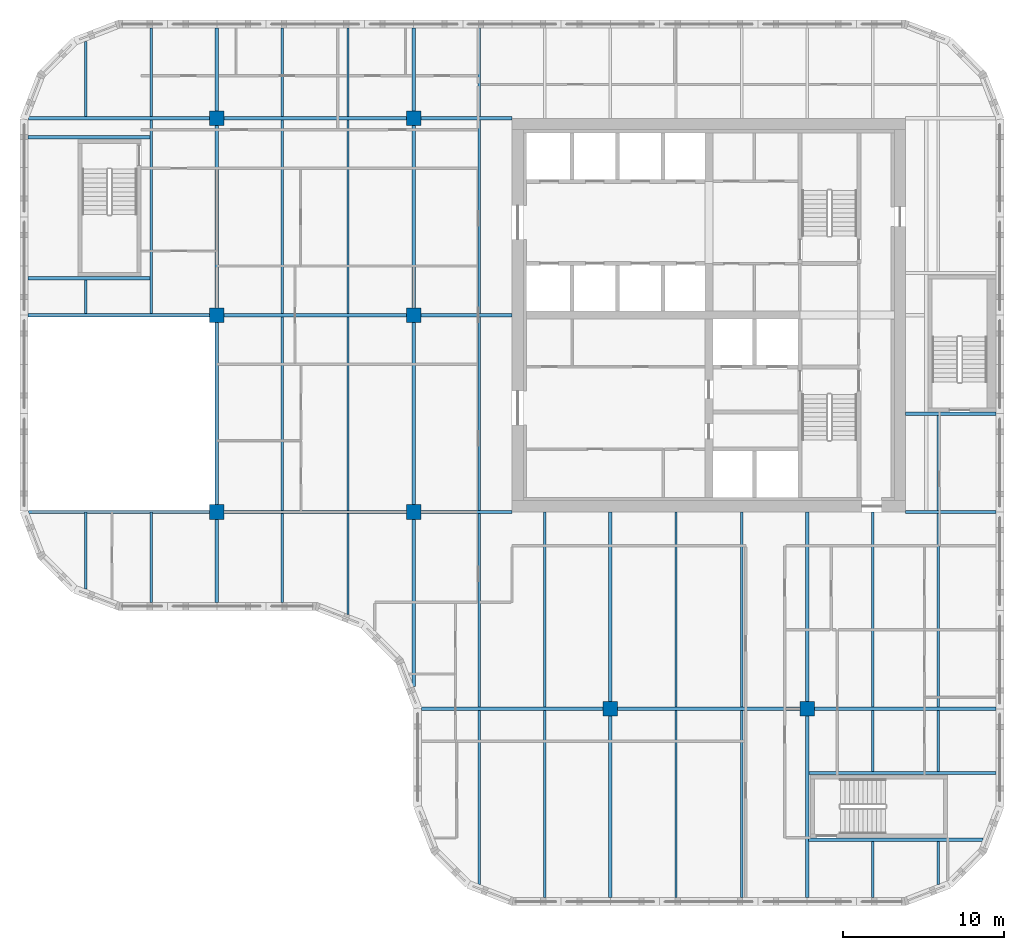
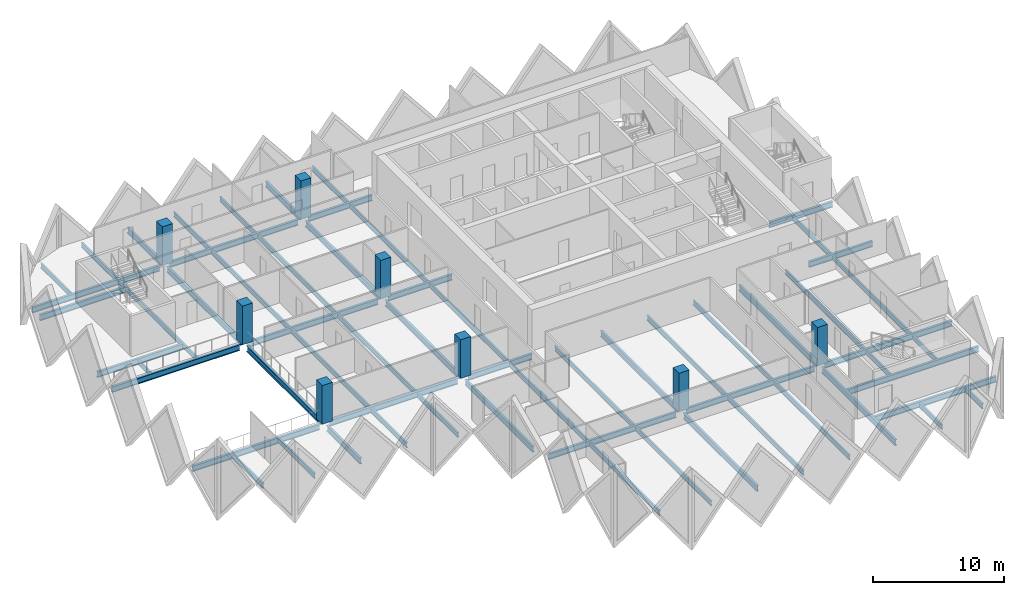
# One storey, part 1 of 12: 62 beams, 8 columns.
"""IFC4 building model written with IfcOpenShell, lengths in metres."""

from ifc_helpers import new_model, si_unit, direction, frame, origin, origin_2d, place, context, subcontext, project, spatial, rectangle, i_section, extrude, material, material_profile, profile_set, type_object, element, save


model = new_model("IFC4")

# Units and contexts
model_context = context("Model", 3, precision=1e-05, world=origin(), true_north=direction((0.0, 1.0)))
body_context = subcontext(model_context, "Body", "Model", "MODEL_VIEW")
ifc_project = project(units=[si_unit("LENGTHUNIT", "METRE"), si_unit("AREAUNIT", "SQUARE_METRE"), si_unit("VOLUMEUNIT", "CUBIC_METRE"), si_unit("PLANEANGLEUNIT", "RADIAN"), si_unit("MASSUNIT", "GRAM", prefix="KILO")], contexts=[model_context])

# Site, building, storey
site_placement = place(None, origin())
site = spatial("IfcSite", under=ifc_project, at=site_placement, CompositionType="ELEMENT")
building_placement = place(site_placement, origin())
building = spatial("IfcBuilding", under=site, at=building_placement, Name="Tessera Gate Towers", CompositionType="ELEMENT")
storey_placement = place(building_placement, frame((0.0, 0.0, 135.39990234375)))
storey = spatial("IfcBuildingStorey", under=building, at=storey_placement, Name="L33", CompositionType="ELEMENT", Elevation=135.39990234375)

# Columns
ifc_material_1 = material(Name="Concrete C70/85", Category="concrete")
ifc_material_profile_1 = material_profile(ifc_material_1, rectangle(XDim=0.89990234375, YDim=0.89990234375, at=origin_2d()), Name="RC 900x900")
ifc_profile_set_1 = profile_set([ifc_material_profile_1], Name="Concrete C70/85")
column_type = type_object("IfcColumnType", Name="COLUMN RC 900x900", PredefinedType="COLUMN", material=ifc_profile_set_1)
for number, where, z_axis, x_axis, name in (
    (1, (12.199951171875, 24.39990234375, 0.0), (0.0, 0.0, 1.0), (1.0, 0.0, 0.0), "T1-COL-2C-L33"),
    (2, (12.199951171875, 36.60009765625, 0.0), (0.0, 0.0, 1.0), (1.0, 0.0, 0.0), "T1-COL-2D-L33"),
    (3, (12.199951171875, 48.800048828125, 0.0), (0.0, 0.0, 1.0), (1.0, 0.0, 0.0), "T1-COL-2E-L33"),
    (4, (24.39990234375, 24.39990234375, 0.0), (0.0, 0.0, 1.0), (1.0, 0.0, 0.0), "T1-COL-3C-L33"),
    (5, (24.39990234375, 36.60009765625, 0.0), (0.0, 0.0, 1.0), (1.0, 0.0, 0.0), "T1-COL-3D-L33"),
    (6, (24.39990234375, 48.800048828125, 0.0), (0.0, 0.0, 1.0), (1.0, 0.0, 0.0), "T1-COL-3E-L33"),
    (7, (36.60009765625, 12.199951171875, 0.0), (0.0, 0.0, 1.0), (1.0, 0.0, 0.0), "T1-COL-4B-L33"),
    (8, (48.800048828125, 12.199951171875, 0.0), (0.0, 0.0, 1.0), (1.0, 0.0, 0.0), "T1-COL-5B-L33"),
):
    element("IfcColumn", number, at=place(storey_placement, frame(where, z_axis=z_axis, x_axis=x_axis)), inside=storey, type_object=column_type, Name=name, PredefinedType="COLUMN", context=body_context, shape_type="SweptSolid", body=[
        extrude(rectangle(XDim=0.89990234375, YDim=0.89990234375, at=origin_2d()), origin(), (0.0, 0.0, 1.0), 3.60009765625),
    ])

# Beams
ifc_material_2 = material(Name="Steel 350W", Category="steel")
ifc_material_profile_2 = material_profile(ifc_material_2, i_section(OverallWidth=0.208984375, OverallDepth=0.532958984375, WebThickness=0.01025390625, FlangeThickness=0.015625, at=origin_2d()), Name="W530x92")
ifc_profile_set_2 = profile_set([ifc_material_profile_2], Name="Steel 350W")
beam_type_1 = type_object("IfcBeamType", Name="FLOOR GIRDER W530x92", PredefinedType="BEAM", material=ifc_profile_set_2)
beam_1_placement = place(storey_placement, frame((24.89892578125, 12.199951171875, -0.46630859375), z_axis=(1.0, 0.0, 0.0), x_axis=(0.0, 1.0, 0.0)))
element("IfcBeam", 9, at=beam_1_placement, inside=storey, type_object=beam_type_1, Name="T1-GD-L33-4000", PredefinedType="BEAM", context=body_context, shape_type="SweptSolid", body=[
    extrude(i_section(OverallWidth=0.208984375, OverallDepth=0.532958984375, WebThickness=0.01025390625, FlangeThickness=0.015625, at=origin_2d()), origin(), (0.0, 0.0, 1.0), 11.2509765625),
])
beam_2_placement = place(storey_placement, frame((37.050048828125, 12.199951171875, -0.46630859375), z_axis=(1.0, 0.0, 0.0), x_axis=(0.0, 1.0, 0.0)))
element("IfcBeam", 10, at=beam_2_placement, inside=storey, type_object=beam_type_1, Name="T1-GD-L33-4001", PredefinedType="BEAM", context=body_context, shape_type="SweptSolid", body=[
    extrude(i_section(OverallWidth=0.208984375, OverallDepth=0.532958984375, WebThickness=0.01025390625, FlangeThickness=0.015625, at=origin_2d()), origin(), (0.0, 0.0, 1.0), 11.300048828125),
])
beam_3_placement = place(storey_placement, frame((49.25, 12.199951171875, -0.46630859375), z_axis=(1.0, 0.0, 0.0), x_axis=(0.0, 1.0, 0.0)))
element("IfcBeam", 11, at=beam_3_placement, inside=storey, type_object=beam_type_1, Name="T1-GD-L33-4002", PredefinedType="BEAM", context=body_context, shape_type="SweptSolid", body=[
    extrude(i_section(OverallWidth=0.208984375, OverallDepth=0.532958984375, WebThickness=0.01025390625, FlangeThickness=0.015625, at=origin_2d()), origin(), (0.0, 0.0, 1.0), 11.2509765625),
])
beam_4_placement = place(storey_placement, frame((0.534912109375, 24.39990234375, -0.46630859375), z_axis=(1.0, 0.0, 0.0), x_axis=(0.0, 1.0, 0.0)))
element("IfcBeam", 12, at=beam_4_placement, inside=storey, type_object=beam_type_1, Name="T1-GD-L33-4003", PredefinedType="BEAM", context=body_context, shape_type="SweptSolid", body=[
    extrude(i_section(OverallWidth=0.208984375, OverallDepth=0.532958984375, WebThickness=0.01025390625, FlangeThickness=0.015625, at=origin_2d()), origin(), (0.0, 0.0, 1.0), 11.215087890625),
])
beam_5_placement = place(storey_placement, frame((12.64990234375, 24.39990234375, -0.46630859375), z_axis=(1.0, 0.0, 0.0), x_axis=(0.0, 1.0, 0.0)))
element("IfcBeam", 13, at=beam_5_placement, inside=storey, type_object=beam_type_1, Name="T1-GD-L33-4004", PredefinedType="BEAM", context=body_context, shape_type="SweptSolid", body=[
    extrude(i_section(OverallWidth=0.208984375, OverallDepth=0.532958984375, WebThickness=0.01025390625, FlangeThickness=0.015625, at=origin_2d()), origin(), (0.0, 0.0, 1.0), 11.300048828125),
])
beam_6_placement = place(storey_placement, frame((24.85009765625, 24.39990234375, -0.46630859375), z_axis=(1.0, 0.0, 0.0), x_axis=(0.0, 1.0, 0.0)))
element("IfcBeam", 14, at=beam_6_placement, inside=storey, type_object=beam_type_1, Name="T1-GD-L33-4005", PredefinedType="BEAM", context=body_context, shape_type="SweptSolid", body=[
    extrude(i_section(OverallWidth=0.208984375, OverallDepth=0.532958984375, WebThickness=0.01025390625, FlangeThickness=0.015625, at=origin_2d()), origin(), (0.0, 0.0, 1.0), 5.64892578125),
])
beam_7_placement = place(storey_placement, frame((54.90087890625, 24.39990234375, -0.46630859375), z_axis=(1.0, 0.0, 0.0), x_axis=(0.0, 1.0, 0.0)))
element("IfcBeam", 15, at=beam_7_placement, inside=storey, type_object=beam_type_1, Name="T1-GD-L33-4006", PredefinedType="BEAM", context=body_context, shape_type="SweptSolid", body=[
    extrude(i_section(OverallWidth=0.208984375, OverallDepth=0.532958984375, WebThickness=0.01025390625, FlangeThickness=0.015625, at=origin_2d()), origin(), (0.0, 0.0, 1.0), 5.60009765625),
])
beam_8_placement = place(storey_placement, frame((0.4990234375, 36.60009765625, -0.46630859375), z_axis=(1.0, 0.0, 0.0), x_axis=(0.0, 1.0, 0.0)))
element("IfcBeam", 16, at=beam_8_placement, inside=storey, type_object=beam_type_1, Name="T1-GD-L33-4007", PredefinedType="BEAM", context=body_context, shape_type="SweptSolid", body=[
    extrude(i_section(OverallWidth=0.208984375, OverallDepth=0.532958984375, WebThickness=0.01025390625, FlangeThickness=0.015625, at=origin_2d()), origin(), (0.0, 0.0, 1.0), 11.2509765625),
])
beam_9_placement = place(storey_placement, frame((12.64990234375, 36.60009765625, -0.46630859375), z_axis=(1.0, 0.0, 0.0), x_axis=(0.0, 1.0, 0.0)))
element("IfcBeam", 17, at=beam_9_placement, inside=storey, type_object=beam_type_1, Name="T1-GD-L33-4008", PredefinedType="BEAM", context=body_context, shape_type="SweptSolid", body=[
    extrude(i_section(OverallWidth=0.208984375, OverallDepth=0.532958984375, WebThickness=0.01025390625, FlangeThickness=0.015625, at=origin_2d()), origin(), (0.0, 0.0, 1.0), 11.300048828125),
])
beam_10_placement = place(storey_placement, frame((24.85009765625, 36.60009765625, -0.46630859375), z_axis=(1.0, 0.0, 0.0), x_axis=(0.0, 1.0, 0.0)))
element("IfcBeam", 18, at=beam_10_placement, inside=storey, type_object=beam_type_1, Name="T1-GD-L33-4009", PredefinedType="BEAM", context=body_context, shape_type="SweptSolid", body=[
    extrude(i_section(OverallWidth=0.208984375, OverallDepth=0.532958984375, WebThickness=0.01025390625, FlangeThickness=0.015625, at=origin_2d()), origin(), (0.0, 0.0, 1.0), 5.65087890625),
])
beam_11_placement = place(storey_placement, frame((0.534912109375, 48.800048828125, -0.46630859375), z_axis=(1.0, 0.0, 0.0), x_axis=(0.0, 1.0, 0.0)))
element("IfcBeam", 19, at=beam_11_placement, inside=storey, type_object=beam_type_1, Name="T1-GD-L33-4011", PredefinedType="BEAM", context=body_context, shape_type="SweptSolid", body=[
    extrude(i_section(OverallWidth=0.208984375, OverallDepth=0.532958984375, WebThickness=0.01025390625, FlangeThickness=0.015625, at=origin_2d()), origin(), (0.0, 0.0, 1.0), 11.215087890625),
])
beam_12_placement = place(storey_placement, frame((12.64990234375, 48.800048828125, -0.46630859375), z_axis=(1.0, 0.0, 0.0), x_axis=(0.0, 1.0, 0.0)))
element("IfcBeam", 20, at=beam_12_placement, inside=storey, type_object=beam_type_1, Name="T1-GD-L33-4012", PredefinedType="BEAM", context=body_context, shape_type="SweptSolid", body=[
    extrude(i_section(OverallWidth=0.208984375, OverallDepth=0.532958984375, WebThickness=0.01025390625, FlangeThickness=0.015625, at=origin_2d()), origin(), (0.0, 0.0, 1.0), 11.300048828125),
])
beam_13_placement = place(storey_placement, frame((24.85009765625, 48.800048828125, -0.46630859375), z_axis=(1.0, 0.0, 0.0), x_axis=(0.0, 1.0, 0.0)))
element("IfcBeam", 21, at=beam_13_placement, inside=storey, type_object=beam_type_1, Name="T1-GD-L33-4013", PredefinedType="BEAM", context=body_context, shape_type="SweptSolid", body=[
    extrude(i_section(OverallWidth=0.208984375, OverallDepth=0.532958984375, WebThickness=0.01025390625, FlangeThickness=0.015625, at=origin_2d()), origin(), (0.0, 0.0, 1.0), 5.64892578125),
])
beam_14_placement = place(storey_placement, frame((12.199951171875, 18.799072265625, -0.46630859375), z_axis=(0.0, 1.0, 0.0), x_axis=(-1.0, 0.0, 0.0)))
element("IfcBeam", 22, at=beam_14_placement, inside=storey, type_object=beam_type_1, Name="T1-GD-L33-4015", PredefinedType="BEAM", context=body_context, shape_type="SweptSolid", body=[
    extrude(i_section(OverallWidth=0.208984375, OverallDepth=0.532958984375, WebThickness=0.01025390625, FlangeThickness=0.015625, at=origin_2d()), origin(), (0.0, 0.0, 1.0), 5.15087890625),
])
beam_15_placement = place(storey_placement, frame((12.199951171875, 24.85009765625, -0.46630859375), z_axis=(0.0, 1.0, 0.0), x_axis=(-1.0, 0.0, 0.0)))
element("IfcBeam", 23, at=beam_15_placement, inside=storey, type_object=beam_type_1, Name="T1-GD-L33-4016", PredefinedType="BEAM", context=body_context, shape_type="SweptSolid", body=[
    extrude(i_section(OverallWidth=0.208984375, OverallDepth=0.532958984375, WebThickness=0.01025390625, FlangeThickness=0.015625, at=origin_2d()), origin(), (0.0, 0.0, 1.0), 11.2998046875),
])
beam_16_placement = place(storey_placement, frame((12.199951171875, 37.050048828125, -0.46630859375), z_axis=(0.0, 1.0, 0.0), x_axis=(-1.0, 0.0, 0.0)))
element("IfcBeam", 24, at=beam_16_placement, inside=storey, type_object=beam_type_1, Name="T1-GD-L33-4017", PredefinedType="BEAM", context=body_context, shape_type="SweptSolid", body=[
    extrude(i_section(OverallWidth=0.208984375, OverallDepth=0.532958984375, WebThickness=0.01025390625, FlangeThickness=0.015625, at=origin_2d()), origin(), (0.0, 0.0, 1.0), 11.300048828125),
])
beam_17_placement = place(storey_placement, frame((12.199951171875, 49.25, -0.46630859375), z_axis=(0.0, 1.0, 0.0), x_axis=(-1.0, 0.0, 0.0)))
element("IfcBeam", 25, at=beam_17_placement, inside=storey, type_object=beam_type_1, Name="T1-GD-L33-4018", PredefinedType="BEAM", context=body_context, shape_type="SweptSolid", body=[
    extrude(i_section(OverallWidth=0.208984375, OverallDepth=0.532958984375, WebThickness=0.01025390625, FlangeThickness=0.015625, at=origin_2d()), origin(), (0.0, 0.0, 1.0), 5.15087890625),
])
beam_18_placement = place(storey_placement, frame((24.39990234375, 13.58642578125, -0.46630859375), z_axis=(0.0, 1.0, 0.0), x_axis=(-1.0, 0.0, 0.0)))
element("IfcBeam", 26, at=beam_18_placement, inside=storey, type_object=beam_type_1, Name="T1-GD-L33-4019", PredefinedType="BEAM", context=body_context, shape_type="SweptSolid", body=[
    extrude(i_section(OverallWidth=0.208984375, OverallDepth=0.532958984375, WebThickness=0.01025390625, FlangeThickness=0.015625, at=origin_2d()), origin(), (0.0, 0.0, 1.0), 10.363525390625),
])
beam_19_placement = place(storey_placement, frame((24.39990234375, 24.85009765625, -0.46630859375), z_axis=(0.0, 1.0, 0.0), x_axis=(-1.0, 0.0, 0.0)))
element("IfcBeam", 27, at=beam_19_placement, inside=storey, type_object=beam_type_1, Name="T1-GD-L33-4020", PredefinedType="BEAM", context=body_context, shape_type="SweptSolid", body=[
    extrude(i_section(OverallWidth=0.208984375, OverallDepth=0.532958984375, WebThickness=0.01025390625, FlangeThickness=0.015625, at=origin_2d()), origin(), (0.0, 0.0, 1.0), 11.2998046875),
])
beam_20_placement = place(storey_placement, frame((24.39990234375, 37.050048828125, -0.46630859375), z_axis=(0.0, 1.0, 0.0), x_axis=(-1.0, 0.0, 0.0)))
element("IfcBeam", 28, at=beam_20_placement, inside=storey, type_object=beam_type_1, Name="T1-GD-L33-4021", PredefinedType="BEAM", context=body_context, shape_type="SweptSolid", body=[
    extrude(i_section(OverallWidth=0.208984375, OverallDepth=0.532958984375, WebThickness=0.01025390625, FlangeThickness=0.015625, at=origin_2d()), origin(), (0.0, 0.0, 1.0), 11.300048828125),
])
beam_21_placement = place(storey_placement, frame((24.39990234375, 49.25, -0.46630859375), z_axis=(0.0, 1.0, 0.0), x_axis=(-1.0, 0.0, 0.0)))
element("IfcBeam", 29, at=beam_21_placement, inside=storey, type_object=beam_type_1, Name="T1-GD-L33-4022", PredefinedType="BEAM", context=body_context, shape_type="SweptSolid", body=[
    extrude(i_section(OverallWidth=0.208984375, OverallDepth=0.532958984375, WebThickness=0.01025390625, FlangeThickness=0.015625, at=origin_2d()), origin(), (0.0, 0.0, 1.0), 5.15087890625),
])
beam_22_placement = place(storey_placement, frame((36.60009765625, 0.4990234375, -0.46630859375), z_axis=(0.0, 1.0, 0.0), x_axis=(-1.0, 0.0, 0.0)))
element("IfcBeam", 30, at=beam_22_placement, inside=storey, type_object=beam_type_1, Name="T1-GD-L33-4023", PredefinedType="BEAM", context=body_context, shape_type="SweptSolid", body=[
    extrude(i_section(OverallWidth=0.208984375, OverallDepth=0.532958984375, WebThickness=0.01025390625, FlangeThickness=0.015625, at=origin_2d()), origin(), (0.0, 0.0, 1.0), 11.2509765625),
])
beam_23_placement = place(storey_placement, frame((36.60009765625, 12.64990234375, -0.46630859375), z_axis=(0.0, 1.0, 0.0), x_axis=(-1.0, 0.0, 0.0)))
element("IfcBeam", 31, at=beam_23_placement, inside=storey, type_object=beam_type_1, Name="T1-GD-L33-4024", PredefinedType="BEAM", context=body_context, shape_type="SweptSolid", body=[
    extrude(i_section(OverallWidth=0.208984375, OverallDepth=0.532958984375, WebThickness=0.01025390625, FlangeThickness=0.015625, at=origin_2d()), origin(), (0.0, 0.0, 1.0), 11.75),
])
beam_24_placement = place(storey_placement, frame((48.800048828125, 0.4990234375, -0.46630859375), z_axis=(0.0, 1.0, 0.0), x_axis=(-1.0, 0.0, 0.0)))
element("IfcBeam", 32, at=beam_24_placement, inside=storey, type_object=beam_type_1, Name="T1-GD-L33-4025", PredefinedType="BEAM", context=body_context, shape_type="SweptSolid", body=[
    extrude(i_section(OverallWidth=0.208984375, OverallDepth=0.532958984375, WebThickness=0.01025390625, FlangeThickness=0.015625, at=origin_2d()), origin(), (0.0, 0.0, 1.0), 11.2509765625),
])
beam_25_placement = place(storey_placement, frame((48.800048828125, 12.64990234375, -0.46630859375), z_axis=(0.0, 1.0, 0.0), x_axis=(-1.0, 0.0, 0.0)))
element("IfcBeam", 33, at=beam_25_placement, inside=storey, type_object=beam_type_1, Name="T1-GD-L33-4026", PredefinedType="BEAM", context=body_context, shape_type="SweptSolid", body=[
    extrude(i_section(OverallWidth=0.208984375, OverallDepth=0.532958984375, WebThickness=0.01025390625, FlangeThickness=0.015625, at=origin_2d()), origin(), (0.0, 0.0, 1.0), 11.75),
])
for number, where, z_axis, x_axis, name in (
    (34, (0.4990234375, 38.8798828125, -0.46630859375), (1.0, 0.0, 0.0), (0.0, 1.0, 0.0), "T1-GD-L33-4027"),
    (35, (0.4990234375, 47.6201171875, -0.46630859375), (1.0, 0.0, 0.0), (0.0, 1.0, 0.0), "T1-GD-L33-4028"),
):
    element("IfcBeam", number, at=place(storey_placement, frame(where, z_axis=z_axis, x_axis=x_axis)), inside=storey, type_object=beam_type_1, Name=name, PredefinedType="BEAM", context=body_context, shape_type="SweptSolid", body=[
        extrude(i_section(OverallWidth=0.208984375, OverallDepth=0.532958984375, WebThickness=0.01025390625, FlangeThickness=0.015625, at=origin_2d()), origin(), (0.0, 0.0, 1.0), 7.557861328125),
    ])
beam_26_placement = place(storey_placement, frame((48.87646484375, 4.080078125, -0.46630859375), z_axis=(1.0, 0.0, 0.0), x_axis=(0.0, 1.0, 0.0)))
element("IfcBeam", 36, at=beam_26_placement, inside=storey, type_object=beam_type_1, Name="T1-GD-L33-4029", PredefinedType="BEAM", context=body_context, shape_type="SweptSolid", body=[
    extrude(i_section(OverallWidth=0.208984375, OverallDepth=0.532958984375, WebThickness=0.01025390625, FlangeThickness=0.015625, at=origin_2d()), origin(), (0.0, 0.0, 1.0), 10.809326171875),
])
beam_27_placement = place(storey_placement, frame((48.87646484375, 8.219970703125, -0.46630859375), z_axis=(1.0, 0.0, 0.0), x_axis=(0.0, 1.0, 0.0)))
element("IfcBeam", 37, at=beam_27_placement, inside=storey, type_object=beam_type_1, Name="T1-GD-L33-4030", PredefinedType="BEAM", context=body_context, shape_type="SweptSolid", body=[
    extrude(i_section(OverallWidth=0.208984375, OverallDepth=0.532958984375, WebThickness=0.01025390625, FlangeThickness=0.015625, at=origin_2d()), origin(), (0.0, 0.0, 1.0), 11.62451171875),
])
beam_28_placement = place(storey_placement, frame((54.89892578125, 30.47998046875, -0.46630859375), z_axis=(1.0, 0.0, 0.0), x_axis=(0.0, 1.0, 0.0)))
element("IfcBeam", 38, at=beam_28_placement, inside=storey, type_object=beam_type_1, Name="T1-GD-L33-4031", PredefinedType="BEAM", context=body_context, shape_type="SweptSolid", body=[
    extrude(i_section(OverallWidth=0.208984375, OverallDepth=0.532958984375, WebThickness=0.01025390625, FlangeThickness=0.015625, at=origin_2d()), origin(), (0.0, 0.0, 1.0), 5.60205078125),
])
ifc_material_3 = material(Name="Steel 350W", Category="steel")
ifc_material_profile_3 = material_profile(ifc_material_3, i_section(OverallWidth=0.153076171875, OverallDepth=0.455078125, WebThickness=0.008056640625, FlangeThickness=0.01318359375, at=origin_2d()), Name="W460x60")
ifc_profile_set_3 = profile_set([ifc_material_profile_3], Name="Steel 350W")
beam_type_2 = type_object("IfcBeamType", Name="FLOOR SECONDARY W460x60", PredefinedType="BEAM", material=ifc_profile_set_3)
beam_29_placement = place(storey_placement, frame((4.066650390625, 19.620361328125, -0.427490234375), z_axis=(0.0, 1.0, 0.0), x_axis=(-1.0, 0.0, 0.0)))
element("IfcBeam", 39, at=beam_29_placement, inside=storey, type_object=beam_type_2, Name="T1-BM-L33-4034", PredefinedType="BEAM", context=body_context, shape_type="SweptSolid", body=[
    extrude(i_section(OverallWidth=0.153076171875, OverallDepth=0.455078125, WebThickness=0.008056640625, FlangeThickness=0.01318359375, at=origin_2d()), origin(), (0.0, 0.0, 1.0), 4.779541015625),
])
beam_30_placement = place(storey_placement, frame((4.066650390625, 36.70458984375, -0.427490234375), z_axis=(0.0, 1.0, 0.0), x_axis=(-1.0, 0.0, 0.0)))
element("IfcBeam", 40, at=beam_30_placement, inside=storey, type_object=beam_type_2, Name="T1-BM-L33-4035", PredefinedType="BEAM", context=body_context, shape_type="SweptSolid", body=[
    extrude(i_section(OverallWidth=0.153076171875, OverallDepth=0.455078125, WebThickness=0.008056640625, FlangeThickness=0.01318359375, at=origin_2d()), origin(), (0.0, 0.0, 1.0), 2.07080078125),
])
beam_31_placement = place(storey_placement, frame((4.066650390625, 48.904541015625, -0.427490234375), z_axis=(0.0, 1.0, 0.0), x_axis=(-1.0, 0.0, 0.0)))
element("IfcBeam", 41, at=beam_31_placement, inside=storey, type_object=beam_type_2, Name="T1-BM-L33-4036", PredefinedType="BEAM", context=body_context, shape_type="SweptSolid", body=[
    extrude(i_section(OverallWidth=0.153076171875, OverallDepth=0.455078125, WebThickness=0.008056640625, FlangeThickness=0.01318359375, at=origin_2d()), origin(), (0.0, 0.0, 1.0), 4.675048828125),
])
beam_32_placement = place(storey_placement, frame((8.13330078125, 18.800048828125, -0.427490234375), z_axis=(0.0, 1.0, 0.0), x_axis=(-1.0, 0.0, 0.0)))
element("IfcBeam", 42, at=beam_32_placement, inside=storey, type_object=beam_type_2, Name="T1-BM-L33-4037", PredefinedType="BEAM", context=body_context, shape_type="SweptSolid", body=[
    extrude(i_section(OverallWidth=0.153076171875, OverallDepth=0.455078125, WebThickness=0.008056640625, FlangeThickness=0.01318359375, at=origin_2d()), origin(), (0.0, 0.0, 1.0), 5.599853515625),
])
beam_33_placement = place(storey_placement, frame((8.13330078125, 36.70458984375, -0.427490234375), z_axis=(0.0, 1.0, 0.0), x_axis=(-1.0, 0.0, 0.0)))
element("IfcBeam", 43, at=beam_33_placement, inside=storey, type_object=beam_type_2, Name="T1-BM-L33-4038", PredefinedType="BEAM", context=body_context, shape_type="SweptSolid", body=[
    extrude(i_section(OverallWidth=0.153076171875, OverallDepth=0.455078125, WebThickness=0.008056640625, FlangeThickness=0.01318359375, at=origin_2d()), origin(), (0.0, 0.0, 1.0), 11.990966796875),
])
for number, where, z_axis, x_axis, name in (
    (44, (8.13330078125, 48.904541015625, -0.427490234375), (0.0, 1.0, 0.0), (-1.0, 0.0, 0.0), "T1-BM-L33-4039"),
    (45, (16.2666015625, 18.800048828125, -0.427490234375), (0.0, 1.0, 0.0), (-1.0, 0.0, 0.0), "T1-BM-L33-4040"),
):
    element("IfcBeam", number, at=place(storey_placement, frame(where, z_axis=z_axis, x_axis=x_axis)), inside=storey, type_object=beam_type_2, Name=name, PredefinedType="BEAM", context=body_context, shape_type="SweptSolid", body=[
        extrude(i_section(OverallWidth=0.153076171875, OverallDepth=0.455078125, WebThickness=0.008056640625, FlangeThickness=0.01318359375, at=origin_2d()), origin(), (0.0, 0.0, 1.0), 5.495361328125),
    ])
beam_34_placement = place(storey_placement, frame((16.2666015625, 24.50439453125, -0.427490234375), z_axis=(0.0, 1.0, 0.0), x_axis=(-1.0, 0.0, 0.0)))
element("IfcBeam", 46, at=beam_34_placement, inside=storey, type_object=beam_type_2, Name="T1-BM-L33-4041", PredefinedType="BEAM", context=body_context, shape_type="SweptSolid", body=[
    extrude(i_section(OverallWidth=0.153076171875, OverallDepth=0.455078125, WebThickness=0.008056640625, FlangeThickness=0.01318359375, at=origin_2d()), origin(), (0.0, 0.0, 1.0), 11.9912109375),
])
beam_35_placement = place(storey_placement, frame((16.2666015625, 36.70458984375, -0.427490234375), z_axis=(0.0, 1.0, 0.0), x_axis=(-1.0, 0.0, 0.0)))
element("IfcBeam", 47, at=beam_35_placement, inside=storey, type_object=beam_type_2, Name="T1-BM-L33-4042", PredefinedType="BEAM", context=body_context, shape_type="SweptSolid", body=[
    extrude(i_section(OverallWidth=0.153076171875, OverallDepth=0.455078125, WebThickness=0.008056640625, FlangeThickness=0.01318359375, at=origin_2d()), origin(), (0.0, 0.0, 1.0), 11.990966796875),
])
beam_36_placement = place(storey_placement, frame((16.2666015625, 48.904541015625, -0.427490234375), z_axis=(0.0, 1.0, 0.0), x_axis=(-1.0, 0.0, 0.0)))
element("IfcBeam", 48, at=beam_36_placement, inside=storey, type_object=beam_type_2, Name="T1-BM-L33-4043", PredefinedType="BEAM", context=body_context, shape_type="SweptSolid", body=[
    extrude(i_section(OverallWidth=0.153076171875, OverallDepth=0.455078125, WebThickness=0.008056640625, FlangeThickness=0.01318359375, at=origin_2d()), origin(), (0.0, 0.0, 1.0), 5.495361328125),
])
beam_37_placement = place(storey_placement, frame((20.333251953125, 18.051513671875, -0.427490234375), z_axis=(0.0, 1.0, 0.0), x_axis=(-1.0, 0.0, 0.0)))
element("IfcBeam", 49, at=beam_37_placement, inside=storey, type_object=beam_type_2, Name="T1-BM-L33-4044", PredefinedType="BEAM", context=body_context, shape_type="SweptSolid", body=[
    extrude(i_section(OverallWidth=0.153076171875, OverallDepth=0.455078125, WebThickness=0.008056640625, FlangeThickness=0.01318359375, at=origin_2d()), origin(), (0.0, 0.0, 1.0), 6.243896484375),
])
beam_38_placement = place(storey_placement, frame((20.333251953125, 24.50439453125, -0.427490234375), z_axis=(0.0, 1.0, 0.0), x_axis=(-1.0, 0.0, 0.0)))
element("IfcBeam", 50, at=beam_38_placement, inside=storey, type_object=beam_type_2, Name="T1-BM-L33-4045", PredefinedType="BEAM", context=body_context, shape_type="SweptSolid", body=[
    extrude(i_section(OverallWidth=0.153076171875, OverallDepth=0.455078125, WebThickness=0.008056640625, FlangeThickness=0.01318359375, at=origin_2d()), origin(), (0.0, 0.0, 1.0), 11.9912109375),
])
beam_39_placement = place(storey_placement, frame((20.333251953125, 36.70458984375, -0.427490234375), z_axis=(0.0, 1.0, 0.0), x_axis=(-1.0, 0.0, 0.0)))
element("IfcBeam", 51, at=beam_39_placement, inside=storey, type_object=beam_type_2, Name="T1-BM-L33-4046", PredefinedType="BEAM", context=body_context, shape_type="SweptSolid", body=[
    extrude(i_section(OverallWidth=0.153076171875, OverallDepth=0.455078125, WebThickness=0.008056640625, FlangeThickness=0.01318359375, at=origin_2d()), origin(), (0.0, 0.0, 1.0), 11.990966796875),
])
beam_40_placement = place(storey_placement, frame((20.333251953125, 48.904541015625, -0.427490234375), z_axis=(0.0, 1.0, 0.0), x_axis=(-1.0, 0.0, 0.0)))
element("IfcBeam", 52, at=beam_40_placement, inside=storey, type_object=beam_type_2, Name="T1-BM-L33-4047", PredefinedType="BEAM", context=body_context, shape_type="SweptSolid", body=[
    extrude(i_section(OverallWidth=0.153076171875, OverallDepth=0.455078125, WebThickness=0.008056640625, FlangeThickness=0.01318359375, at=origin_2d()), origin(), (0.0, 0.0, 1.0), 5.495361328125),
])
beam_41_placement = place(storey_placement, frame((28.466796875, 1.3203125, -0.427490234375), z_axis=(0.0, 1.0, 0.0), x_axis=(-1.0, 0.0, 0.0)))
element("IfcBeam", 53, at=beam_41_placement, inside=storey, type_object=beam_type_2, Name="T1-BM-L33-4048", PredefinedType="BEAM", context=body_context, shape_type="SweptSolid", body=[
    extrude(i_section(OverallWidth=0.153076171875, OverallDepth=0.455078125, WebThickness=0.008056640625, FlangeThickness=0.01318359375, at=origin_2d()), origin(), (0.0, 0.0, 1.0), 10.775146484375),
])
beam_42_placement = place(storey_placement, frame((28.466796875, 12.304443359375, -0.427490234375), z_axis=(0.0, 1.0, 0.0), x_axis=(-1.0, 0.0, 0.0)))
element("IfcBeam", 54, at=beam_42_placement, inside=storey, type_object=beam_type_2, Name="T1-BM-L33-4049", PredefinedType="BEAM", context=body_context, shape_type="SweptSolid", body=[
    extrude(i_section(OverallWidth=0.153076171875, OverallDepth=0.455078125, WebThickness=0.008056640625, FlangeThickness=0.01318359375, at=origin_2d()), origin(), (0.0, 0.0, 1.0), 11.990966796875),
])
beam_43_placement = place(storey_placement, frame((28.466796875, 24.50439453125, -0.427490234375), z_axis=(0.0, 1.0, 0.0), x_axis=(-1.0, 0.0, 0.0)))
element("IfcBeam", 55, at=beam_43_placement, inside=storey, type_object=beam_type_2, Name="T1-BM-L33-4050", PredefinedType="BEAM", context=body_context, shape_type="SweptSolid", body=[
    extrude(i_section(OverallWidth=0.153076171875, OverallDepth=0.455078125, WebThickness=0.008056640625, FlangeThickness=0.01318359375, at=origin_2d()), origin(), (0.0, 0.0, 1.0), 11.9912109375),
])
beam_44_placement = place(storey_placement, frame((28.466796875, 36.70458984375, -0.427490234375), z_axis=(0.0, 1.0, 0.0), x_axis=(-1.0, 0.0, 0.0)))
element("IfcBeam", 56, at=beam_44_placement, inside=storey, type_object=beam_type_2, Name="T1-BM-L33-4051", PredefinedType="BEAM", context=body_context, shape_type="SweptSolid", body=[
    extrude(i_section(OverallWidth=0.153076171875, OverallDepth=0.455078125, WebThickness=0.008056640625, FlangeThickness=0.01318359375, at=origin_2d()), origin(), (0.0, 0.0, 1.0), 11.990966796875),
])
beam_45_placement = place(storey_placement, frame((28.466796875, 48.904541015625, -0.427490234375), z_axis=(0.0, 1.0, 0.0), x_axis=(-1.0, 0.0, 0.0)))
element("IfcBeam", 57, at=beam_45_placement, inside=storey, type_object=beam_type_2, Name="T1-BM-L33-4052", PredefinedType="BEAM", context=body_context, shape_type="SweptSolid", body=[
    extrude(i_section(OverallWidth=0.153076171875, OverallDepth=0.455078125, WebThickness=0.008056640625, FlangeThickness=0.01318359375, at=origin_2d()), origin(), (0.0, 0.0, 1.0), 5.495361328125),
])
beam_46_placement = place(storey_placement, frame((32.533203125, 0.5, -0.427490234375), z_axis=(0.0, 1.0, 0.0), x_axis=(-1.0, 0.0, 0.0)))
element("IfcBeam", 58, at=beam_46_placement, inside=storey, type_object=beam_type_2, Name="T1-BM-L33-4053", PredefinedType="BEAM", context=body_context, shape_type="SweptSolid", body=[
    extrude(i_section(OverallWidth=0.153076171875, OverallDepth=0.455078125, WebThickness=0.008056640625, FlangeThickness=0.01318359375, at=origin_2d()), origin(), (0.0, 0.0, 1.0), 11.595458984375),
])
beam_47_placement = place(storey_placement, frame((32.533203125, 12.304443359375, -0.427490234375), z_axis=(0.0, 1.0, 0.0), x_axis=(-1.0, 0.0, 0.0)))
element("IfcBeam", 59, at=beam_47_placement, inside=storey, type_object=beam_type_2, Name="T1-BM-L33-4054", PredefinedType="BEAM", context=body_context, shape_type="SweptSolid", body=[
    extrude(i_section(OverallWidth=0.153076171875, OverallDepth=0.455078125, WebThickness=0.008056640625, FlangeThickness=0.01318359375, at=origin_2d()), origin(), (0.0, 0.0, 1.0), 12.095458984375),
])
beam_48_placement = place(storey_placement, frame((40.666748046875, 0.5, -0.427490234375), z_axis=(0.0, 1.0, 0.0), x_axis=(-1.0, 0.0, 0.0)))
element("IfcBeam", 60, at=beam_48_placement, inside=storey, type_object=beam_type_2, Name="T1-BM-L33-4057", PredefinedType="BEAM", context=body_context, shape_type="SweptSolid", body=[
    extrude(i_section(OverallWidth=0.153076171875, OverallDepth=0.455078125, WebThickness=0.008056640625, FlangeThickness=0.01318359375, at=origin_2d()), origin(), (0.0, 0.0, 1.0), 11.595458984375),
])
beam_49_placement = place(storey_placement, frame((40.666748046875, 12.304443359375, -0.427490234375), z_axis=(0.0, 1.0, 0.0), x_axis=(-1.0, 0.0, 0.0)))
element("IfcBeam", 61, at=beam_49_placement, inside=storey, type_object=beam_type_2, Name="T1-BM-L33-4058", PredefinedType="BEAM", context=body_context, shape_type="SweptSolid", body=[
    extrude(i_section(OverallWidth=0.153076171875, OverallDepth=0.455078125, WebThickness=0.008056640625, FlangeThickness=0.01318359375, at=origin_2d()), origin(), (0.0, 0.0, 1.0), 12.095458984375),
])
beam_50_placement = place(storey_placement, frame((44.7333984375, 0.5, -0.427490234375), z_axis=(0.0, 1.0, 0.0), x_axis=(-1.0, 0.0, 0.0)))
element("IfcBeam", 62, at=beam_50_placement, inside=storey, type_object=beam_type_2, Name="T1-BM-L33-4060", PredefinedType="BEAM", context=body_context, shape_type="SweptSolid", body=[
    extrude(i_section(OverallWidth=0.153076171875, OverallDepth=0.455078125, WebThickness=0.008056640625, FlangeThickness=0.01318359375, at=origin_2d()), origin(), (0.0, 0.0, 1.0), 11.595458984375),
])
beam_51_placement = place(storey_placement, frame((44.7333984375, 12.304443359375, -0.427490234375), z_axis=(0.0, 1.0, 0.0), x_axis=(-1.0, 0.0, 0.0)))
element("IfcBeam", 63, at=beam_51_placement, inside=storey, type_object=beam_type_2, Name="T1-BM-L33-4061", PredefinedType="BEAM", context=body_context, shape_type="SweptSolid", body=[
    extrude(i_section(OverallWidth=0.153076171875, OverallDepth=0.455078125, WebThickness=0.008056640625, FlangeThickness=0.01318359375, at=origin_2d()), origin(), (0.0, 0.0, 1.0), 12.095458984375),
])
beam_52_placement = place(storey_placement, frame((52.86669921875, 0.5, -0.427490234375), z_axis=(0.0, 1.0, 0.0), x_axis=(-1.0, 0.0, 0.0)))
element("IfcBeam", 64, at=beam_52_placement, inside=storey, type_object=beam_type_2, Name="T1-BM-L33-4064", PredefinedType="BEAM", context=body_context, shape_type="SweptSolid", body=[
    extrude(i_section(OverallWidth=0.153076171875, OverallDepth=0.455078125, WebThickness=0.008056640625, FlangeThickness=0.01318359375, at=origin_2d()), origin(), (0.0, 0.0, 1.0), 3.4755859375),
])
beam_53_placement = place(storey_placement, frame((52.86669921875, 8.324462890625, -0.427490234375), z_axis=(0.0, 1.0, 0.0), x_axis=(-1.0, 0.0, 0.0)))
element("IfcBeam", 65, at=beam_53_placement, inside=storey, type_object=beam_type_2, Name="T1-BM-L33-4065", PredefinedType="BEAM", context=body_context, shape_type="SweptSolid", body=[
    extrude(i_section(OverallWidth=0.153076171875, OverallDepth=0.455078125, WebThickness=0.008056640625, FlangeThickness=0.01318359375, at=origin_2d()), origin(), (0.0, 0.0, 1.0), 3.77099609375),
])
beam_54_placement = place(storey_placement, frame((52.86669921875, 12.304443359375, -0.427490234375), z_axis=(0.0, 1.0, 0.0), x_axis=(-1.0, 0.0, 0.0)))
element("IfcBeam", 66, at=beam_54_placement, inside=storey, type_object=beam_type_2, Name="T1-BM-L33-4066", PredefinedType="BEAM", context=body_context, shape_type="SweptSolid", body=[
    extrude(i_section(OverallWidth=0.153076171875, OverallDepth=0.455078125, WebThickness=0.008056640625, FlangeThickness=0.01318359375, at=origin_2d()), origin(), (0.0, 0.0, 1.0), 12.095458984375),
])
beam_55_placement = place(storey_placement, frame((56.933349609375, 1.3203125, -0.427490234375), z_axis=(0.0, 1.0, 0.0), x_axis=(-1.0, 0.0, 0.0)))
element("IfcBeam", 67, at=beam_55_placement, inside=storey, type_object=beam_type_2, Name="T1-BM-L33-4068", PredefinedType="BEAM", context=body_context, shape_type="SweptSolid", body=[
    extrude(i_section(OverallWidth=0.153076171875, OverallDepth=0.455078125, WebThickness=0.008056640625, FlangeThickness=0.01318359375, at=origin_2d()), origin(), (0.0, 0.0, 1.0), 2.6552734375),
])
beam_56_placement = place(storey_placement, frame((56.933349609375, 8.324462890625, -0.427490234375), z_axis=(0.0, 1.0, 0.0), x_axis=(-1.0, 0.0, 0.0)))
element("IfcBeam", 68, at=beam_56_placement, inside=storey, type_object=beam_type_2, Name="T1-BM-L33-4069", PredefinedType="BEAM", context=body_context, shape_type="SweptSolid", body=[
    extrude(i_section(OverallWidth=0.153076171875, OverallDepth=0.455078125, WebThickness=0.008056640625, FlangeThickness=0.01318359375, at=origin_2d()), origin(), (0.0, 0.0, 1.0), 3.77099609375),
])
beam_57_placement = place(storey_placement, frame((56.933349609375, 12.304443359375, -0.427490234375), z_axis=(0.0, 1.0, 0.0), x_axis=(-1.0, 0.0, 0.0)))
element("IfcBeam", 69, at=beam_57_placement, inside=storey, type_object=beam_type_2, Name="T1-BM-L33-4070", PredefinedType="BEAM", context=body_context, shape_type="SweptSolid", body=[
    extrude(i_section(OverallWidth=0.153076171875, OverallDepth=0.455078125, WebThickness=0.008056640625, FlangeThickness=0.01318359375, at=origin_2d()), origin(), (0.0, 0.0, 1.0), 11.990966796875),
])
beam_58_placement = place(storey_placement, frame((56.933349609375, 24.50439453125, -0.427490234375), z_axis=(0.0, 1.0, 0.0), x_axis=(-1.0, 0.0, 0.0)))
element("IfcBeam", 70, at=beam_58_placement, inside=storey, type_object=beam_type_2, Name="T1-BM-L33-4071", PredefinedType="BEAM", context=body_context, shape_type="SweptSolid", body=[
    extrude(i_section(OverallWidth=0.153076171875, OverallDepth=0.455078125, WebThickness=0.008056640625, FlangeThickness=0.01318359375, at=origin_2d()), origin(), (0.0, 0.0, 1.0), 5.87109375),
])

save(model, "model.ifc")
